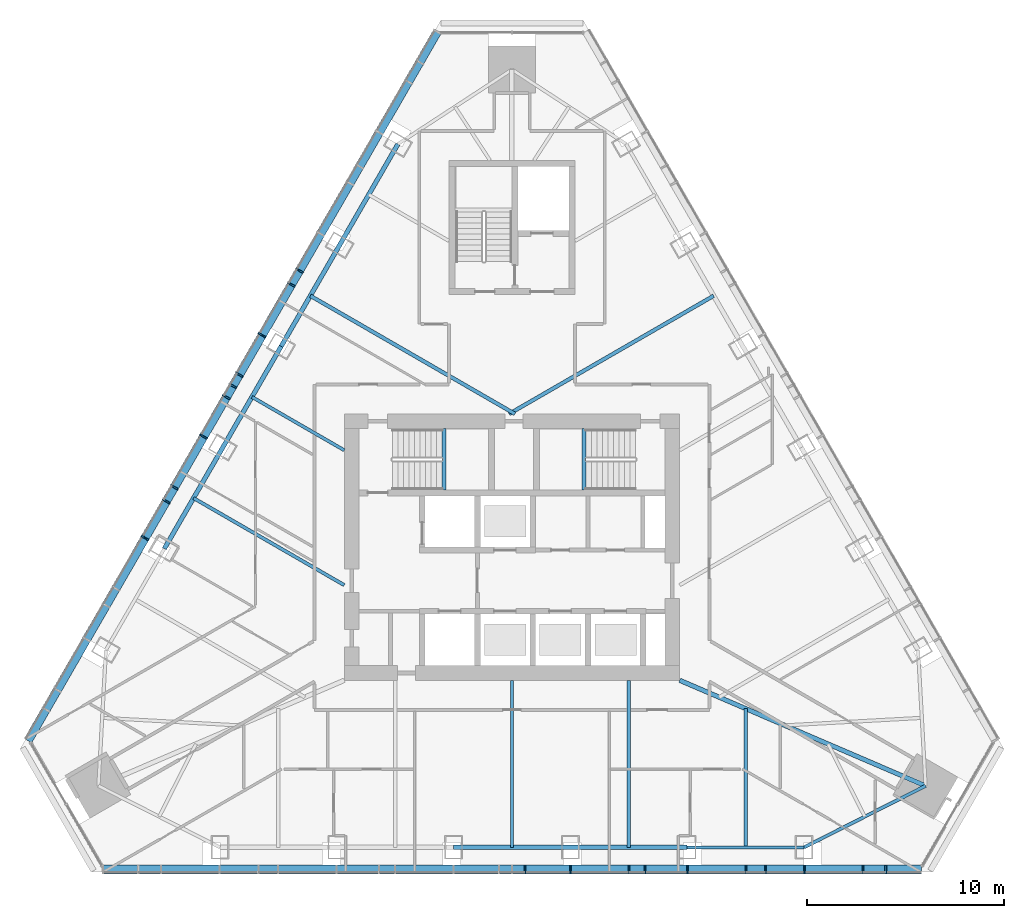
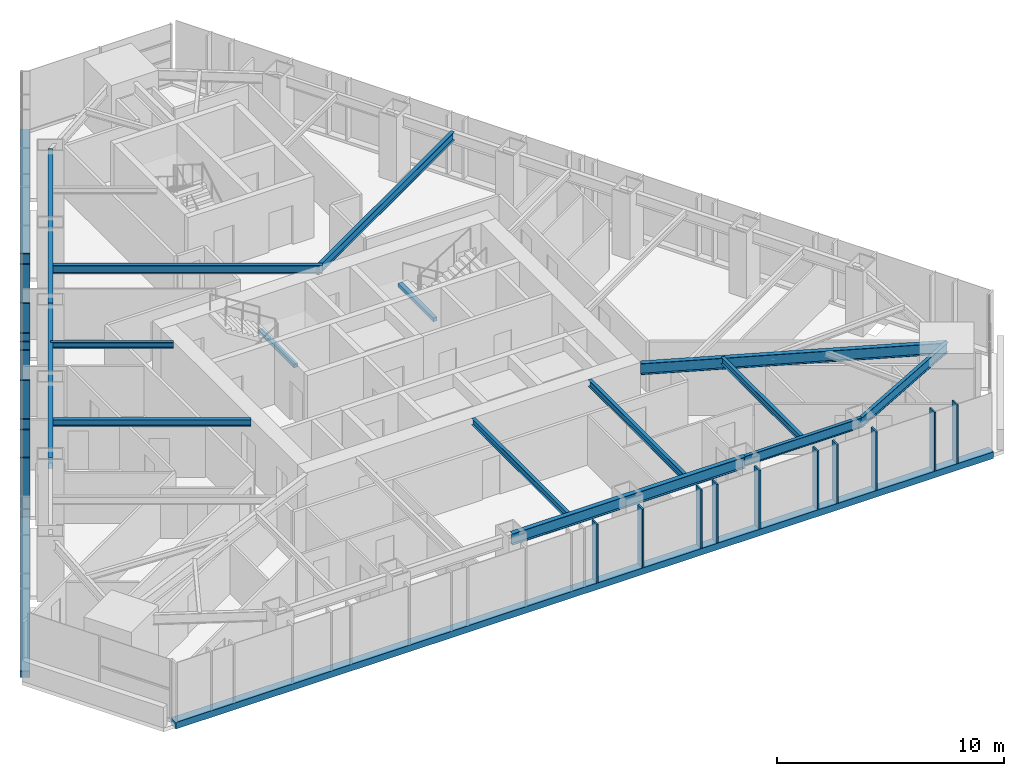
# One storey, part 3 of 15: 22 members, 15 beams, 2 elements without a shape of their own.
"""IFC4 building model written with IfcOpenShell, lengths in metres."""

from ifc_helpers import new_model, si_unit, direction, frame, origin, origin_2d, place, context, subcontext, project, spatial, rectangle, i_section, extrude, material, layer, layer_set, material_profile, profile_set, type_object, element, aggregate, save


model = new_model("IFC4")

# Units and contexts
model_context = context("Model", 3, precision=1e-05, world=origin(), true_north=direction((0.0, 1.0)))
body_context = subcontext(model_context, "Body", "Model", "MODEL_VIEW")
ifc_project = project(units=[si_unit("LENGTHUNIT", "METRE"), si_unit("AREAUNIT", "SQUARE_METRE"), si_unit("VOLUMEUNIT", "CUBIC_METRE"), si_unit("PLANEANGLEUNIT", "RADIAN"), si_unit("MASSUNIT", "GRAM", prefix="KILO")], contexts=[model_context])

# Site, building, storey
site_placement = place(None, origin())
site = spatial("IfcSite", under=ifc_project, at=site_placement, CompositionType="ELEMENT")
building_placement = place(site_placement, origin())
building = spatial("IfcBuilding", under=site, at=building_placement, Name="Firuza Gate Tower and Library", CompositionType="ELEMENT")
storey_placement = place(building_placement, frame((0.0, 0.0, 309.10009765625)))
storey = spatial("IfcBuildingStorey", under=building, at=storey_placement, Name="L75", CompositionType="ELEMENT", Elevation=309.10009765625)

# Curtain wall, members
ifc_material_1 = material(Name="Aluminium 6063-T6", Category="aluminium")
ifc_layer = layer(ifc_material_1, 0.14990234375)
ifc_layer_set = layer_set([ifc_layer], Name="Unitised curtain wall, residences")
curtain_wall_type = type_object("IfcCurtainWallType", Name="Unitised curtain wall, residences", PredefinedType="NOTDEFINED", material=ifc_layer_set)
placement = place(storey_placement, origin())
curtain_wall_1 = element("IfcCurtainWall", 1, at=placement, inside=storey, type_object=curtain_wall_type, Name="CW3 L75 S face", PredefinedType="NOTDEFINED")
ifc_material_2 = material(Name="Aluminium 6063-T6", Category="aluminium")
ifc_material_profile_1 = material_profile(ifc_material_2, rectangle(XDim=0.43994140625, YDim=0.080078125, at=origin_2d()))
ifc_profile_set_1 = profile_set([ifc_material_profile_1], Name="Aluminium 6063-T6")
member_type_1 = type_object("IfcMemberType", Name="Curtain wall mullion 80x440", PredefinedType="MULLION", material=ifc_profile_set_1)
member_1_placement = place(storey_placement, frame((77.966064453125, 58.660400390625, 0.14990234375), z_axis=(0.0, 0.0, 1.0), x_axis=(0.0, 1.0, 0.0)))
member_1 = element("IfcMember", 2, at=member_1_placement, type_object=member_type_1, Name="Mullion", PredefinedType="MULLION", context=body_context, shape_type="SweptSolid", body=[
    extrude(rectangle(XDim=0.43994140625, YDim=0.080078125, at=origin_2d()), origin(), (0.0, 0.0, 1.0), 3.14990234375),
])
member_2_placement = place(storey_placement, frame((80.932373046875, 58.660400390625, 0.14990234375), z_axis=(0.0, 0.0, 1.0), x_axis=(0.0, 1.0, 0.0)))
member_2 = element("IfcMember", 3, at=member_2_placement, type_object=member_type_1, Name="Mullion", PredefinedType="MULLION", context=body_context, shape_type="SweptSolid", body=[
    extrude(rectangle(XDim=0.43994140625, YDim=0.080078125, at=origin_2d()), origin(), (0.0, 0.0, 1.0), 3.14990234375),
])
member_3_placement = place(storey_placement, frame((83.8984375, 58.660400390625, 0.14990234375), z_axis=(0.0, 0.0, 1.0), x_axis=(0.0, 1.0, 0.0)))
member_3 = element("IfcMember", 4, at=member_3_placement, type_object=member_type_1, Name="Mullion", PredefinedType="MULLION", context=body_context, shape_type="SweptSolid", body=[
    extrude(rectangle(XDim=0.43994140625, YDim=0.080078125, at=origin_2d()), origin(), (0.0, 0.0, 1.0), 3.14990234375),
])
member_4_placement = place(storey_placement, frame((86.86474609375, 58.660400390625, 0.14990234375), z_axis=(0.0, 0.0, 1.0), x_axis=(0.0, 1.0, 0.0)))
member_4 = element("IfcMember", 5, at=member_4_placement, type_object=member_type_1, Name="Mullion", PredefinedType="MULLION", context=body_context, shape_type="SweptSolid", body=[
    extrude(rectangle(XDim=0.43994140625, YDim=0.080078125, at=origin_2d()), origin(), (0.0, 0.0, 1.0), 3.14990234375),
])
member_5_placement = place(storey_placement, frame((89.830810546875, 58.660400390625, 0.14990234375), z_axis=(0.0, 0.0, 1.0), x_axis=(0.0, 1.0, 0.0)))
member_5 = element("IfcMember", 6, at=member_5_placement, type_object=member_type_1, Name="Mullion", PredefinedType="MULLION", context=body_context, shape_type="SweptSolid", body=[
    extrude(rectangle(XDim=0.43994140625, YDim=0.080078125, at=origin_2d()), origin(), (0.0, 0.0, 1.0), 3.14990234375),
])
member_6_placement = place(storey_placement, frame((92.797119140625, 58.660400390625, 0.14990234375), z_axis=(0.0, 0.0, 1.0), x_axis=(0.0, 1.0, 0.0)))
member_6 = element("IfcMember", 7, at=member_6_placement, type_object=member_type_1, Name="Mullion", PredefinedType="MULLION", context=body_context, shape_type="SweptSolid", body=[
    extrude(rectangle(XDim=0.43994140625, YDim=0.080078125, at=origin_2d()), origin(), (0.0, 0.0, 1.0), 3.14990234375),
])
member_7_placement = place(storey_placement, frame((75.6533203125, 58.660400390625, 0.14990234375), z_axis=(0.0, 0.0, 1.0), x_axis=(0.0, 1.0, 0.0)))
member_7 = element("IfcMember", 8, at=member_7_placement, type_object=member_type_1, Name="Mullion", PredefinedType="MULLION", context=body_context, shape_type="SweptSolid", body=[
    extrude(rectangle(XDim=0.43994140625, YDim=0.080078125, at=origin_2d()), origin(), (0.0, 0.0, 1.0), 3.14990234375),
])
member_8_placement = place(storey_placement, frame((81.749267578125, 58.660400390625, 0.14990234375), z_axis=(0.0, 0.0, 1.0), x_axis=(0.0, 1.0, 0.0)))
member_8 = element("IfcMember", 9, at=member_8_placement, type_object=member_type_1, Name="Mullion", PredefinedType="MULLION", context=body_context, shape_type="SweptSolid", body=[
    extrude(rectangle(XDim=0.43994140625, YDim=0.080078125, at=origin_2d()), origin(), (0.0, 0.0, 1.0), 3.14990234375),
])
member_9_placement = place(storey_placement, frame((87.845458984375, 58.660400390625, 0.14990234375), z_axis=(0.0, 0.0, 1.0), x_axis=(0.0, 1.0, 0.0)))
member_9 = element("IfcMember", 10, at=member_9_placement, type_object=member_type_1, Name="Mullion", PredefinedType="MULLION", context=body_context, shape_type="SweptSolid", body=[
    extrude(rectangle(XDim=0.43994140625, YDim=0.080078125, at=origin_2d()), origin(), (0.0, 0.0, 1.0), 3.14990234375),
])
member_10_placement = place(storey_placement, frame((93.94140625, 58.660400390625, 0.14990234375), z_axis=(0.0, 0.0, 1.0), x_axis=(0.0, 1.0, 0.0)))
member_10 = element("IfcMember", 11, at=member_10_placement, type_object=member_type_1, Name="Mullion", PredefinedType="MULLION", context=body_context, shape_type="SweptSolid", body=[
    extrude(rectangle(XDim=0.43994140625, YDim=0.080078125, at=origin_2d()), origin(), (0.0, 0.0, 1.0), 3.14990234375),
])

curtain_wall_2 = element("IfcCurtainWall", 12, at=placement, inside=storey, type_object=curtain_wall_type, Name="CW3 L75 W face", PredefinedType="NOTDEFINED")
member_11_placement = place(storey_placement, frame((63.815673828125, 88.307373046875, 0.14990234375), z_axis=(0.0, 0.0, 1.0), x_axis=(0.866025403784, -0.5, 0.0)))
member_11 = element("IfcMember", 13, at=member_11_placement, type_object=member_type_1, Name="Mullion", PredefinedType="MULLION", context=body_context, shape_type="SweptSolid", body=[
    extrude(rectangle(XDim=0.43994140625, YDim=0.080078125, at=origin_2d()), origin(), (0.0, 0.0, 1.0), 3.14990234375),
])
member_12_placement = place(storey_placement, frame((62.33251953125, 85.738525390625, 0.14990234375), z_axis=(0.0, 0.0, 1.0), x_axis=(0.866025403784, -0.5, 0.0)))
member_12 = element("IfcMember", 14, at=member_12_placement, type_object=member_type_1, Name="Mullion", PredefinedType="MULLION", context=body_context, shape_type="SweptSolid", body=[
    extrude(rectangle(XDim=0.43994140625, YDim=0.080078125, at=origin_2d()), origin(), (0.0, 0.0, 1.0), 3.14990234375),
])
member_13_placement = place(storey_placement, frame((60.849365234375, 83.169921875, 0.14990234375), z_axis=(0.0, 0.0, 1.0), x_axis=(0.866025403784, -0.5, 0.0)))
member_13 = element("IfcMember", 15, at=member_13_placement, type_object=member_type_1, Name="Mullion", PredefinedType="MULLION", context=body_context, shape_type="SweptSolid", body=[
    extrude(rectangle(XDim=0.43994140625, YDim=0.080078125, at=origin_2d()), origin(), (0.0, 0.0, 1.0), 3.14990234375),
])
member_14_placement = place(storey_placement, frame((59.366455078125, 80.60107421875, 0.14990234375), z_axis=(0.0, 0.0, 1.0), x_axis=(0.866025403784, -0.5, 0.0)))
member_14 = element("IfcMember", 16, at=member_14_placement, type_object=member_type_1, Name="Mullion", PredefinedType="MULLION", context=body_context, shape_type="SweptSolid", body=[
    extrude(rectangle(XDim=0.43994140625, YDim=0.080078125, at=origin_2d()), origin(), (0.0, 0.0, 1.0), 3.14990234375),
])
member_15_placement = place(storey_placement, frame((57.88330078125, 78.0322265625, 0.14990234375), z_axis=(0.0, 0.0, 1.0), x_axis=(0.866025403784, -0.5, 0.0)))
member_15 = element("IfcMember", 17, at=member_15_placement, type_object=member_type_1, Name="Mullion", PredefinedType="MULLION", context=body_context, shape_type="SweptSolid", body=[
    extrude(rectangle(XDim=0.43994140625, YDim=0.080078125, at=origin_2d()), origin(), (0.0, 0.0, 1.0), 3.14990234375),
])
member_16_placement = place(storey_placement, frame((56.400146484375, 75.46337890625, 0.14990234375), z_axis=(0.0, 0.0, 1.0), x_axis=(0.866025403784, -0.5, 0.0)))
member_16 = element("IfcMember", 18, at=member_16_placement, type_object=member_type_1, Name="Mullion", PredefinedType="MULLION", context=body_context, shape_type="SweptSolid", body=[
    extrude(rectangle(XDim=0.43994140625, YDim=0.080078125, at=origin_2d()), origin(), (0.0, 0.0, 1.0), 3.14990234375),
])
member_17_placement = place(storey_placement, frame((64.22412109375, 89.014892578125, 0.14990234375), z_axis=(0.0, 0.0, 1.0), x_axis=(0.866025403784, -0.5, 0.0)))
member_17 = element("IfcMember", 19, at=member_17_placement, type_object=member_type_1, Name="Mullion", PredefinedType="MULLION", context=body_context, shape_type="SweptSolid", body=[
    extrude(rectangle(XDim=0.43994140625, YDim=0.080078125, at=origin_2d()), origin(), (0.0, 0.0, 1.0), 3.14990234375),
])
member_18_placement = place(storey_placement, frame((61.17626953125, 83.735595703125, 0.14990234375), z_axis=(0.0, 0.0, 1.0), x_axis=(0.866025403784, -0.5, 0.0)))
member_18 = element("IfcMember", 20, at=member_18_placement, type_object=member_type_1, Name="Mullion", PredefinedType="MULLION", context=body_context, shape_type="SweptSolid", body=[
    extrude(rectangle(XDim=0.43994140625, YDim=0.080078125, at=origin_2d()), origin(), (0.0, 0.0, 1.0), 3.14990234375),
])
member_19_placement = place(storey_placement, frame((60.522705078125, 82.60400390625, 0.14990234375), z_axis=(0.0, 0.0, 1.0), x_axis=(0.866025403784, -0.5, 0.0)))
member_19 = element("IfcMember", 21, at=member_19_placement, type_object=member_type_1, Name="Mullion", PredefinedType="MULLION", context=body_context, shape_type="SweptSolid", body=[
    extrude(rectangle(XDim=0.43994140625, YDim=0.080078125, at=origin_2d()), origin(), (0.0, 0.0, 1.0), 3.14990234375),
])
member_20_placement = place(storey_placement, frame((57.474853515625, 77.32470703125, 0.14990234375), z_axis=(0.0, 0.0, 1.0), x_axis=(0.866025403784, -0.5, 0.0)))
member_20 = element("IfcMember", 22, at=member_20_placement, type_object=member_type_1, Name="Mullion", PredefinedType="MULLION", context=body_context, shape_type="SweptSolid", body=[
    extrude(rectangle(XDim=0.43994140625, YDim=0.080078125, at=origin_2d()), origin(), (0.0, 0.0, 1.0), 3.14990234375),
])

# Member
ifc_material_3 = material(Name="Aluminium 6063-T6", Category="aluminium")
ifc_material_profile_2 = material_profile(ifc_material_3, rectangle(XDim=0.43994140625, YDim=0.35009765625, at=origin_2d()))
ifc_profile_set_2 = profile_set([ifc_material_profile_2], Name="Aluminium 6063-T6")
member_type_2 = type_object("IfcMemberType", Name="Curtain wall transom 350x440", PredefinedType="USERDEFINED", material=ifc_profile_set_2)
member_21_placement = place(storey_placement, frame((54.23681640625, 58.660400390625, -0.025146484375), z_axis=(1.0, 0.0, 0.0), x_axis=(0.0, 1.0, 0.0)))
member_21 = element("IfcMember", 23, at=member_21_placement, type_object=member_type_2, Name="Transom", ObjectType="TRANSOM", PredefinedType="USERDEFINED", context=body_context, shape_type="SweptSolid", body=[
    extrude(rectangle(XDim=0.43994140625, YDim=0.35009765625, at=origin_2d()), origin(), (0.0, 0.0, 1.0), 41.5263671875),
])

aggregate(curtain_wall_1, [member_1, member_2, member_3, member_4, member_5, member_6, member_21, member_7, member_8, member_9, member_10])

member_22_placement = place(storey_placement, frame((71.231201171875, 101.1513671875, -0.025146484375), z_axis=(-0.500001845737, -0.866024338145, 0.0), x_axis=(0.866024338145, -0.500001845737, 0.0)))
member_22 = element("IfcMember", 24, at=member_22_placement, type_object=member_type_2, Name="Transom", ObjectType="TRANSOM", PredefinedType="USERDEFINED", context=body_context, shape_type="SweptSolid", body=[
    extrude(rectangle(XDim=0.43994140625, YDim=0.35009765625, at=origin_2d()), origin(), (0.0, 0.0, 1.0), 41.526611328125),
])

aggregate(curtain_wall_2, [member_11, member_12, member_13, member_14, member_15, member_16, member_22, member_17, member_18, member_19, member_20])

# Beams
ifc_material_4 = material(Name="Concrete C35/45", Category="concrete")
ifc_material_profile_3 = material_profile(ifc_material_4, rectangle(XDim=0.199951171875, YDim=0.199951171875, at=origin_2d()))
ifc_profile_set_3 = profile_set([ifc_material_profile_3], Name="Concrete C35/45")
beam_type_1 = type_object("IfcBeamType", Name="Stair landing bearer 200x200", PredefinedType="BEAM", material=ifc_profile_set_3)
for number, where, z_axis, x_axis, name in (
    (25, (71.56005859375, 77.89990234375, 1.449951171875), (0.0, 1.0, 0.0), (-1.0, 0.0, 0.0), "Landing bearer L75 stair 1"),
    (26, (78.639892578125, 81.0, 1.449951171875), (0.0, -1.0, 0.0), (1.0, 0.0, 0.0), "Landing bearer L75 stair 2"),
):
    element("IfcBeam", number, at=place(storey_placement, frame(where, z_axis=z_axis, x_axis=x_axis)), inside=storey, type_object=beam_type_1, Name=name, PredefinedType="BEAM", context=body_context, shape_type="SweptSolid", body=[
        extrude(rectangle(XDim=0.199951171875, YDim=0.199951171875, at=origin_2d()), origin(), (0.0, 0.0, 1.0), 3.10009765625),
    ])
ifc_material_5 = material(Name="Steel S355", Category="steel")
ifc_material_profile_4 = material_profile(ifc_material_5, i_section(OverallWidth=0.1650390625, OverallDepth=0.31005859375, WebThickness=0.005859375, FlangeThickness=0.009765625, at=origin_2d()))
ifc_profile_set_4 = profile_set([ifc_material_profile_4], Name="Steel S355")
beam_type_2 = type_object("IfcBeamType", Name="W310x39 Floor beam", PredefinedType="JOIST", material=ifc_profile_set_4)
beam_1_placement = place(storey_placement, frame((61.8193359375, 82.60986328125, 3.14501953125), z_axis=(0.866024608893, -0.500001376791, 0.0), x_axis=(0.500001376791, 0.866024608893, 0.0)))
element("IfcBeam", 27, at=beam_1_placement, inside=storey, type_object=beam_type_2, Name="Floor beam L75 s82", PredefinedType="JOIST", context=body_context, shape_type="SweptSolid", body=[
    extrude(i_section(OverallWidth=0.1650390625, OverallDepth=0.31005859375, WebThickness=0.005859375, FlangeThickness=0.009765625, at=origin_2d()), origin(), (0.0, 0.0, 1.0), 5.40478515625),
])
ifc_material_6 = material(Name="Steel S355", Category="steel")
ifc_material_profile_5 = material_profile(ifc_material_6, i_section(OverallWidth=0.1708984375, OverallDepth=0.35498046875, WebThickness=0.007080078125, FlangeThickness=0.01171875, at=origin_2d()))
ifc_profile_set_5 = profile_set([ifc_material_profile_5], Name="Steel S355")
beam_type_3 = type_object("IfcBeamType", Name="W360x51 Floor beam", PredefinedType="JOIST", material=ifc_profile_set_5)
for number, where, z_axis, x_axis, name in (
    (28, (75.0, 59.7802734375, 3.122314453125), (0.0, 1.0, 0.0), (-1.0, 0.0, 0.0), "Floor beam L75 s22"),
    (29, (80.919921875, 59.7802734375, 3.122314453125), (0.0, 1.0, 0.0), (-1.0, 0.0, 0.0), "Floor beam L75 s23"),
):
    element("IfcBeam", number, at=place(storey_placement, frame(where, z_axis=z_axis, x_axis=x_axis)), inside=storey, type_object=beam_type_3, Name=name, PredefinedType="JOIST", context=body_context, shape_type="SweptSolid", body=[
        extrude(i_section(OverallWidth=0.1708984375, OverallDepth=0.35498046875, WebThickness=0.007080078125, FlangeThickness=0.01171875, at=origin_2d()), origin(), (0.0, 0.0, 1.0), 8.4697265625),
    ])
beam_2_placement = place(storey_placement, frame((86.840087890625, 59.7802734375, 3.122314453125), z_axis=(0.0, 1.0, 0.0), x_axis=(-1.0, 0.0, 0.0)))
element("IfcBeam", 30, at=beam_2_placement, inside=storey, type_object=beam_type_3, Name="Floor beam L75 s24", PredefinedType="JOIST", context=body_context, shape_type="SweptSolid", body=[
    extrude(i_section(OverallWidth=0.1708984375, OverallDepth=0.35498046875, WebThickness=0.007080078125, FlangeThickness=0.01171875, at=origin_2d()), origin(), (0.0, 0.0, 1.0), 7.03515625),
])
beam_3_placement = place(storey_placement, frame((58.859375, 77.48291015625, 3.122314453125), z_axis=(0.866022456413, -0.500005104963, 0.0), x_axis=(0.500005104963, 0.866022456413, 0.0)))
element("IfcBeam", 31, at=beam_3_placement, inside=storey, type_object=beam_type_3, Name="Floor beam L75 s83", PredefinedType="JOIST", context=body_context, shape_type="SweptSolid", body=[
    extrude(i_section(OverallWidth=0.1708984375, OverallDepth=0.35498046875, WebThickness=0.007080078125, FlangeThickness=0.01171875, at=origin_2d()), origin(), (0.0, 0.0, 1.0), 8.82275390625),
])
ifc_material_7 = material(Name="Steel S355", Category="steel")
ifc_material_profile_6 = material_profile(ifc_material_7, i_section(OverallWidth=0.18994140625, OverallDepth=0.45703125, WebThickness=0.009033203125, FlangeThickness=0.014404296875, at=origin_2d()))
ifc_profile_set_6 = profile_set([ifc_material_profile_6], Name="Steel S355")
beam_type_4 = type_object("IfcBeamType", Name="W460x74 Floor beam", PredefinedType="JOIST", material=ifc_profile_set_6)
for number, where, z_axis, x_axis, name in (
    (32, (85.220458984375, 87.736572265625, 3.0712890625), (-0.866027351828, -0.499996625875, 0.0), (0.499996625875, -0.866027351828, 0.0), "Floor beam L75 s53"),
    (33, (64.779541015625, 87.736572265625, 3.0712890625), (0.866027351828, -0.499996625875, 0.0), (0.499996625875, 0.866027351828, 0.0), "Floor beam L75 s81"),
):
    element("IfcBeam", number, at=place(storey_placement, frame(where, z_axis=z_axis, x_axis=x_axis)), inside=storey, type_object=beam_type_4, Name=name, PredefinedType="JOIST", context=body_context, shape_type="SweptSolid", body=[
        extrude(i_section(OverallWidth=0.18994140625, OverallDepth=0.45703125, WebThickness=0.009033203125, FlangeThickness=0.014404296875, at=origin_2d()), origin(), (0.0, 0.0, 1.0), 11.97314453125),
    ])
ifc_material_8 = material(Name="Steel S355", Category="steel")
ifc_material_profile_7 = material_profile(ifc_material_8, i_section(OverallWidth=0.166015625, OverallDepth=0.534912109375, WebThickness=0.01025390625, FlangeThickness=0.0166015625, at=origin_2d()))
ifc_profile_set_7 = profile_set([ifc_material_profile_7], Name="Steel S355")
beam_type_5 = type_object("IfcBeamType", Name="W530x85 Edge beam", PredefinedType="SPANDREL", material=ifc_profile_set_7)
beam_4_placement = place(storey_placement, frame((83.8798828125, 59.7802734375, 3.032470703125), z_axis=(1.0, 0.0, 0.0), x_axis=(0.0, 1.0, 0.0)))
element("IfcBeam", 34, at=beam_4_placement, inside=storey, type_object=beam_type_5, Name="Edge beam L75 e24", PredefinedType="SPANDREL", context=body_context, shape_type="SweptSolid", body=[
    extrude(i_section(OverallWidth=0.166015625, OverallDepth=0.534912109375, WebThickness=0.01025390625, FlangeThickness=0.0166015625, at=origin_2d()), origin(), (0.0, 0.0, 1.0), 5.920166015625),
])
beam_5_placement = place(storey_placement, frame((89.800048828125, 59.7802734375, 3.032470703125), z_axis=(0.89225291274, 0.451535978309, 0.0), x_axis=(-0.451535978309, 0.89225291274, 0.0)))
element("IfcBeam", 35, at=beam_5_placement, inside=storey, type_object=beam_type_5, Name="Edge beam L75 e30", PredefinedType="SPANDREL", context=body_context, shape_type="SweptSolid", body=[
    extrude(i_section(OverallWidth=0.166015625, OverallDepth=0.534912109375, WebThickness=0.01025390625, FlangeThickness=0.0166015625, at=origin_2d()), origin(), (0.0, 0.0, 1.0), 6.905029296875),
])
ifc_material_9 = material(Name="Steel S355", Category="steel")
ifc_material_profile_8 = material_profile(ifc_material_9, i_section(OverallWidth=0.22802734375, OverallDepth=0.60302734375, WebThickness=0.010498046875, FlangeThickness=0.014892578125, at=origin_2d()))
ifc_profile_set_8 = profile_set([ifc_material_profile_8], Name="Steel S355")
beam_type_6 = type_object("IfcBeamType", Name="W610x101 Girder", PredefinedType="BEAM", material=ifc_profile_set_8)
beam_6_placement = place(storey_placement, frame((95.961181640625, 62.898193359375, 2.998291015625), z_axis=(-0.918843070784, 0.394623125618, 0.0), x_axis=(-0.394623125618, -0.918843070784, 0.0)))
element("IfcBeam", 36, at=beam_6_placement, inside=storey, type_object=beam_type_6, Name="Girder L75 gSE", PredefinedType="BEAM", context=body_context, shape_type="SweptSolid", body=[
    extrude(i_section(OverallWidth=0.22802734375, OverallDepth=0.60302734375, WebThickness=0.010498046875, FlangeThickness=0.014892578125, at=origin_2d()), origin(), (0.0, 0.0, 1.0), 13.561767578125),
])
ifc_material_10 = material(Name="Steel S355", Category="steel")
ifc_material_profile_9 = material_profile(ifc_material_10, i_section(OverallWidth=0.22900390625, OverallDepth=0.612060546875, WebThickness=0.011962890625, FlangeThickness=0.01953125, at=origin_2d()))
ifc_profile_set_9 = profile_set([ifc_material_profile_9], Name="Steel S355")
beam_type_7 = type_object("IfcBeamType", Name="W610x125 Edge beam", PredefinedType="SPANDREL", material=ifc_profile_set_9)
beam_7_placement = place(storey_placement, frame((72.0400390625, 59.7802734375, 2.993896484375), z_axis=(1.0, 0.0, 0.0), x_axis=(0.0, 1.0, 0.0)))
element("IfcBeam", 37, at=beam_7_placement, inside=storey, type_object=beam_type_7, Name="Edge beam L75 e22", PredefinedType="SPANDREL", context=body_context, shape_type="SweptSolid", body=[
    extrude(i_section(OverallWidth=0.22900390625, OverallDepth=0.612060546875, WebThickness=0.011962890625, FlangeThickness=0.01953125, at=origin_2d()), origin(), (0.0, 0.0, 1.0), 11.83984375),
])
for number, where, z_axis, x_axis, name in (
    (38, (69.219482421875, 95.427001953125, 2.993896484375), (-0.500013393289, -0.866017671027, 0.0), (0.866017671027, -0.500013393289, 0.0), "Edge beam L75 e80"),
    (39, (63.29931640625, 85.17333984375, 2.993896484375), (-0.499988999718, -0.866031754707, 0.0), (0.866031754707, -0.499988999718, 0.0), "Edge beam L75 e82"),
):
    element("IfcBeam", number, at=place(storey_placement, frame(where, z_axis=z_axis, x_axis=x_axis)), inside=storey, type_object=beam_type_7, Name=name, PredefinedType="SPANDREL", context=body_context, shape_type="SweptSolid", body=[
        extrude(i_section(OverallWidth=0.22900390625, OverallDepth=0.612060546875, WebThickness=0.011962890625, FlangeThickness=0.01953125, at=origin_2d()), origin(), (0.0, 0.0, 1.0), 11.840087890625),
    ])

save(model, "model.ifc")
